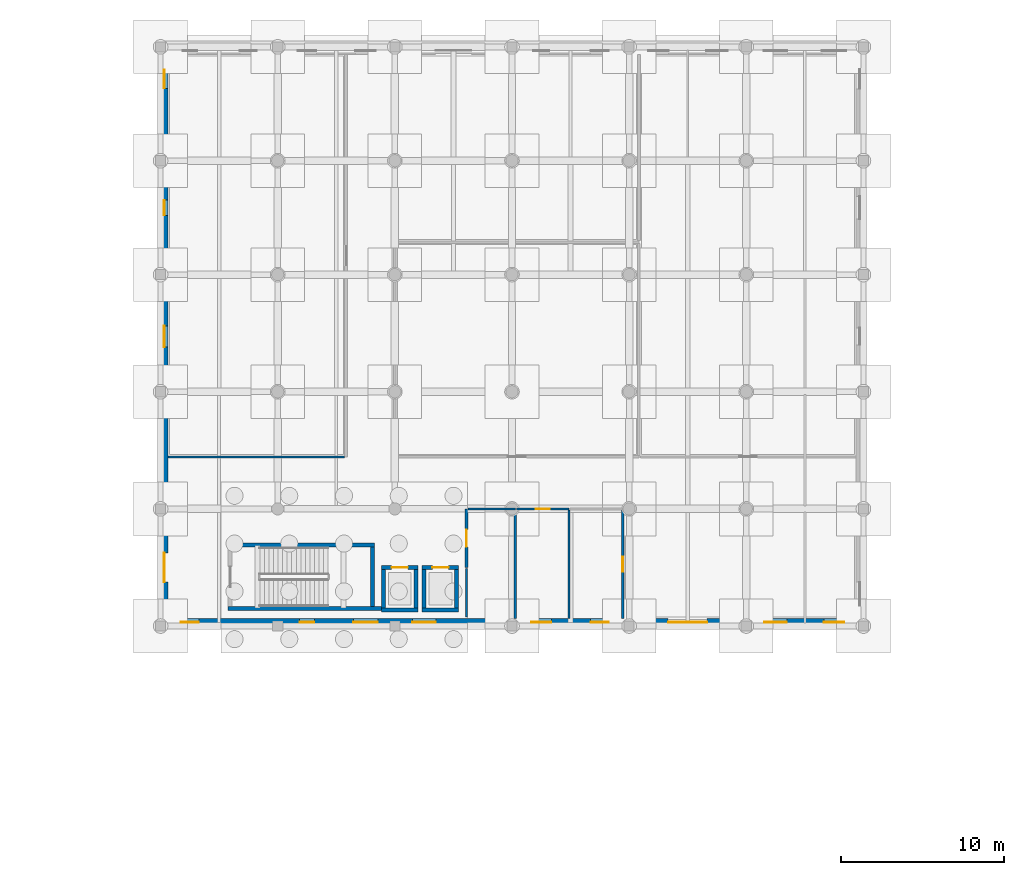
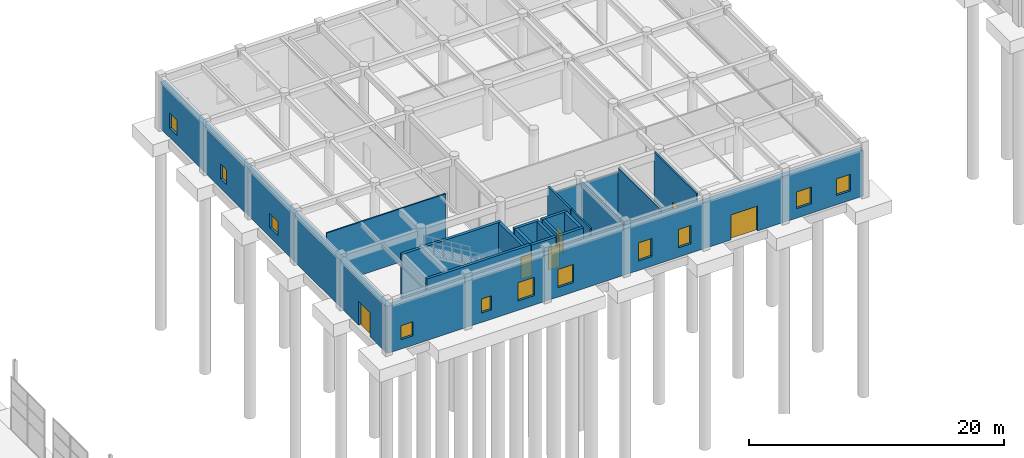
# One storey, part 72 of 91: 21 walls, 11 windows, 7 doors, 18 openings.
"""IFC4 building model written with IfcOpenShell, lengths in metres."""

from ifc_helpers import new_model, si_unit, direction, frame, frame_2d, origin, place, context, subcontext, project, spatial, rectangle, extrude, material, layer, layer_set, type_object, element, fill, save


model = new_model("IFC4")

# Units and contexts
model_context = context("Model", 3, precision=1e-05, world=origin(), true_north=direction((0.0, 1.0)))
body_context = subcontext(model_context, "Body", "Model", "MODEL_VIEW")
ifc_project = project(units=[si_unit("LENGTHUNIT", "METRE"), si_unit("AREAUNIT", "SQUARE_METRE"), si_unit("VOLUMEUNIT", "CUBIC_METRE"), si_unit("PLANEANGLEUNIT", "RADIAN"), si_unit("MASSUNIT", "GRAM", prefix="KILO")], contexts=[model_context])

# Site, building, storey
site_placement = place(None, origin())
site = spatial("IfcSite", under=ifc_project, at=site_placement, CompositionType="ELEMENT")
building_placement = place(site_placement, origin())
building = spatial("IfcBuilding", under=site, at=building_placement, Name="Bramveld Media Centre", CompositionType="ELEMENT")
storey_placement = place(building_placement, origin())
storey = spatial("IfcBuildingStorey", under=building, at=storey_placement, Name="L00", CompositionType="ELEMENT", Elevation=0.0)

# Walls
ifc_material_1 = material(Name="Concrete C40/50 stair & lift core wall", Category="concrete")
ifc_layer_1 = layer(ifc_material_1, 0.25)
ifc_layer_set_1 = layer_set([ifc_layer_1], Name="Concrete C40/50 stair & lift core wall")
wall_type_1 = type_object("IfcWallType", Name="CWALL-SHEAR-250", PredefinedType="SHEAR", material=ifc_layer_set_1)
wall_1_placement = place(storey_placement, frame((69.75, 91.47509765625, 0.0), z_axis=(0.0, 0.0, 1.0), x_axis=(1.0, 0.0, 0.0)))
element("IfcWall", 1, at=wall_1_placement, inside=storey, type_object=wall_type_1, Name="ST-07 L00 stair core shear wall S", PredefinedType="SHEAR", context=body_context, shape_type="SweptSolid", body=[
    extrude(rectangle(XDim=9.570068359375, YDim=0.25, at=frame_2d((4.78515625, 0.0))), origin(), (0.0, 0.0, 1.0), 5.1201171875),
])
wall_2_placement = place(storey_placement, frame((78.75, 95.375, 0.0), z_axis=(0.0, 0.0, 1.0), x_axis=(-1.0, 0.0, 0.0)))
element("IfcWall", 2, at=wall_2_placement, inside=storey, type_object=wall_type_1, Name="ST-07 L00 stair core shear wall N", PredefinedType="SHEAR", context=body_context, shape_type="SweptSolid", body=[
    extrude(rectangle(XDim=9.0, YDim=0.25, at=frame_2d((4.5, 0.0))), origin(), (0.0, 0.0, 1.0), 5.1201171875),
])
wall_3_placement = place(storey_placement, frame((78.625, 91.60009765625, 0.0), z_axis=(0.0, 0.0, 1.0), x_axis=(0.0, 1.0, 0.0)))
element("IfcWall", 3, at=wall_3_placement, inside=storey, type_object=wall_type_1, Name="ST-07 L00 stair core shear wall E", PredefinedType="SHEAR", context=body_context, shape_type="SweptSolid", body=[
    extrude(rectangle(XDim=3.64990234375, YDim=0.25, at=frame_2d((1.824951171875, 0.0))), origin(), (0.0, 0.0, 1.0), 5.1201171875),
])
wall_4_placement = place(storey_placement, frame((79.175048828125, 91.39990234375, 0.0), z_axis=(0.0, 0.0, 1.0), x_axis=(1.0, 0.0, 0.0)))
element("IfcWall", 4, at=wall_4_placement, inside=storey, type_object=wall_type_1, Name="PL-04 L00 lift shaft wall S", PredefinedType="SHEAR", context=body_context, shape_type="SweptSolid", body=[
    extrude(rectangle(XDim=2.25, YDim=0.25, at=frame_2d((1.125, 0.0))), origin(), (0.0, 0.0, 1.0), 5.1201171875),
])

# Wall, opening, door
wall_5_placement = place(storey_placement, frame((81.425048828125, 94.0, 0.0), z_axis=(0.0, 0.0, 1.0), x_axis=(-1.0, 0.0, 0.0)))
wall_5 = element("IfcWall", 5, at=wall_5_placement, inside=storey, type_object=wall_type_1, Name="PL-04 L00 lift shaft wall N", PredefinedType="SHEAR", context=body_context, shape_type="SweptSolid", body=[
    extrude(rectangle(XDim=2.25, YDim=0.25, at=frame_2d((1.125, 0.0))), origin(), (0.0, 0.0, 1.0), 5.1201171875),
])
opening_1_placement = place(wall_5_placement, frame((0.625, 0.0, 0.0)))
opening_1 = element("IfcOpeningElement", 6, at=opening_1_placement, cuts=wall_5, Name="Opening LD-02-04-L00", PredefinedType="OPENING", context=body_context, shape_type="SweptSolid", body=[
    extrude(rectangle(XDim=1.0, YDim=2.14990234375, at=frame_2d((0.5, 1.074951171875))), frame((0.0, 0.136962890625, 0.0), z_axis=(0.0, -1.0, 0.0), x_axis=(1.0, 0.0, 0.0)), (0.0, 0.0, 1.0), 0.27392578125),
])
ifc_material_2 = material(Name="Brushed stainless steel automatic fire-rated sliding lift landing door", Category="steel")
door_type_1 = type_object("IfcDoorType", Name="LD-TYPE-02", OperationType="SLIDING_TO_LEFT", PredefinedType="DOOR", material=ifc_material_2)
door_1_placement = place(opening_1_placement, origin())
door_1 = element("IfcDoor", 7, at=door_1_placement, inside=storey, type_object=door_type_1, Name="PL-04 L00 sliding lift landing door", OperationType="SLIDING_TO_LEFT", OverallHeight=2.14990234375, OverallWidth=1.0, PredefinedType="DOOR", context=body_context, shape_type="SweptSolid", body=[
    extrude(rectangle(XDim=1.0, YDim=2.14990234375, at=frame_2d((0.5, 1.074951171875))), frame((0.0, 0.02490234375, 0.0), z_axis=(0.0, -1.0, 0.0), x_axis=(1.0, 0.0, 0.0)), (0.0, 0.0, 1.0), 0.050048828125),
])
fill(opening_1, door_1)

# Walls
for number, where, z_axis, x_axis, name in (
    (8, (79.300048828125, 94.0, 0.0), (0.0, 0.0, 1.0), (0.0, -1.0, 0.0), "PL-04 L00 lift shaft wall W"),
    (9, (81.300048828125, 91.39990234375, 0.0), (0.0, 0.0, 1.0), (0.0, 1.0, 0.0), "PL-04 L00 lift shaft wall E"),
):
    element("IfcWall", number, at=place(storey_placement, frame(where, z_axis=z_axis, x_axis=x_axis)), inside=storey, type_object=wall_type_1, Name=name, PredefinedType="SHEAR", context=body_context, shape_type="SweptSolid", body=[
        extrude(rectangle(XDim=2.60009765625, YDim=0.25, at=frame_2d((1.300048828125, 0.0))), origin(), (0.0, 0.0, 1.0), 5.1201171875),
    ])
wall_6_placement = place(storey_placement, frame((81.675048828125, 91.39990234375, 0.0), z_axis=(0.0, 0.0, 1.0), x_axis=(1.0, 0.0, 0.0)))
element("IfcWall", 10, at=wall_6_placement, inside=storey, type_object=wall_type_1, Name="PL-03 L00 lift shaft wall S", PredefinedType="SHEAR", context=body_context, shape_type="SweptSolid", body=[
    extrude(rectangle(XDim=2.25, YDim=0.25, at=frame_2d((1.125, 0.0))), origin(), (0.0, 0.0, 1.0), 5.1201171875),
])

# Wall, opening, door
wall_7_placement = place(storey_placement, frame((83.925048828125, 94.0, 0.0), z_axis=(0.0, 0.0, 1.0), x_axis=(-1.0, 0.0, 0.0)))
wall_7 = element("IfcWall", 11, at=wall_7_placement, inside=storey, type_object=wall_type_1, Name="PL-03 L00 lift shaft wall N", PredefinedType="SHEAR", context=body_context, shape_type="SweptSolid", body=[
    extrude(rectangle(XDim=2.25, YDim=0.25, at=frame_2d((1.125, 0.0))), origin(), (0.0, 0.0, 1.0), 5.1201171875),
])
opening_2_placement = place(wall_7_placement, frame((0.625, 0.0, 0.0)))
opening_2 = element("IfcOpeningElement", 12, at=opening_2_placement, cuts=wall_7, Name="Opening LD-02-03-L00", PredefinedType="OPENING", context=body_context, shape_type="SweptSolid", body=[
    extrude(rectangle(XDim=1.0, YDim=2.14990234375, at=frame_2d((0.5, 1.074951171875))), frame((0.0, 0.136962890625, 0.0), z_axis=(0.0, -1.0, 0.0), x_axis=(1.0, 0.0, 0.0)), (0.0, 0.0, 1.0), 0.27392578125),
])
door_2_placement = place(opening_2_placement, origin())
door_2 = element("IfcDoor", 13, at=door_2_placement, inside=storey, type_object=door_type_1, Name="PL-03 L00 sliding lift landing door", OperationType="SLIDING_TO_LEFT", OverallHeight=2.14990234375, OverallWidth=1.0, PredefinedType="DOOR", context=body_context, shape_type="SweptSolid", body=[
    extrude(rectangle(XDim=1.0, YDim=2.14990234375, at=frame_2d((0.5, 1.074951171875))), frame((0.0, 0.02490234375, 0.0), z_axis=(0.0, -1.0, 0.0), x_axis=(1.0, 0.0, 0.0)), (0.0, 0.0, 1.0), 0.050048828125),
])
fill(opening_2, door_2)

# Walls
for number, where, z_axis, x_axis, name in (
    (14, (81.800048828125, 94.0, 0.0), (0.0, 0.0, 1.0), (0.0, -1.0, 0.0), "PL-03 L00 lift shaft wall W"),
    (15, (83.800048828125, 91.39990234375, 0.0), (0.0, 0.0, 1.0), (0.0, 1.0, 0.0), "PL-03 L00 lift shaft wall E"),
):
    element("IfcWall", number, at=place(storey_placement, frame(where, z_axis=z_axis, x_axis=x_axis)), inside=storey, type_object=wall_type_1, Name=name, PredefinedType="SHEAR", context=body_context, shape_type="SweptSolid", body=[
        extrude(rectangle(XDim=2.60009765625, YDim=0.25, at=frame_2d((1.300048828125, 0.0))), origin(), (0.0, 0.0, 1.0), 5.1201171875),
    ])

# Wall, openings, door, windows
ifc_material_3 = material(Name="Flemish red-brown clay facing brick cavity wall with concrete C35/45 inner leaf", Category="masonry")
ifc_layer_2 = layer(ifc_material_3, 0.4599609375)
ifc_layer_set_2 = layer_set([ifc_layer_2], Name="Flemish red-brown clay facing brick cavity wall with concrete C35/45 inner leaf")
wall_type_2 = type_object("IfcWallType", Name="EW-BRK-460", PredefinedType="SOLIDWALL", material=ifc_layer_set_2)
wall_8_placement = place(storey_placement, frame((108.800048828125, 90.6298828125, 0.0), z_axis=(0.0, 0.0, 1.0), x_axis=(-1.0, 0.0, 0.0)))
wall_8 = element("IfcWall", 16, at=wall_8_placement, inside=storey, type_object=wall_type_2, Name="V6 L00 S facing brick exterior wall", PredefinedType="SOLIDWALL", context=body_context, shape_type="SweptSolid", body=[
    extrude(rectangle(XDim=43.199951171875, YDim=0.4599609375, at=frame_2d((21.60009765625, 0.0))), origin(), (0.0, 0.0, 1.0), 4.4150390625),
])
opening_3_placement = place(wall_8_placement, frame((9.60009765625, 0.0, 0.0)))
opening_3 = element("IfcOpeningElement", 17, at=opening_3_placement, cuts=wall_8, Name="Opening ED-11", PredefinedType="OPENING", context=body_context, shape_type="SweptSolid", body=[
    extrude(rectangle(XDim=2.39990234375, YDim=2.39990234375, at=frame_2d((1.199951171875, 1.199951171875))), frame((0.0, 0.241943359375, 0.0), z_axis=(0.0, -1.0, 0.0), x_axis=(1.0, 0.0, 0.0)), (0.0, 0.0, 1.0), 0.48388671875),
])
opening_4_placement = place(wall_8_placement, frame((1.175048828125, 0.0, 0.89990234375)))
opening_4 = element("IfcOpeningElement", 18, at=opening_4_placement, cuts=wall_8, Name="Opening W-16", PredefinedType="OPENING", context=body_context, shape_type="SweptSolid", body=[
    extrude(rectangle(XDim=1.25, YDim=1.60009765625, at=frame_2d((0.625, 0.800048828125))), frame((0.0, 0.241943359375, 0.0), z_axis=(0.0, -1.0, 0.0), x_axis=(1.0, 0.0, 0.0)), (0.0, 0.0, 1.0), 0.48388671875),
])
opening_5_placement = place(wall_8_placement, frame((4.7099609375, 0.0, 0.89990234375)))
opening_5 = element("IfcOpeningElement", 19, at=opening_5_placement, cuts=wall_8, Name="Opening W-17", PredefinedType="OPENING", context=body_context, shape_type="SweptSolid", body=[
    extrude(rectangle(XDim=1.3798828125, YDim=1.60009765625, at=frame_2d((0.68994140625, 0.800048828125))), frame((0.0, 0.241943359375, 0.0), z_axis=(0.0, -1.0, 0.0), x_axis=(1.0, 0.0, 0.0)), (0.0, 0.0, 1.0), 0.48388671875),
])
opening_6_placement = place(wall_8_placement, frame((15.639892578125, 0.0, 0.89990234375)))
opening_6 = element("IfcOpeningElement", 20, at=opening_6_placement, cuts=wall_8, Name="Opening W-20", PredefinedType="OPENING", context=body_context, shape_type="SweptSolid", body=[
    extrude(rectangle(XDim=1.1201171875, YDim=1.75, at=frame_2d((0.56005859375, 0.875))), frame((0.0, 0.241943359375, 0.0), z_axis=(0.0, -1.0, 0.0), x_axis=(1.0, 0.0, 0.0)), (0.0, 0.0, 1.0), 0.48388671875),
])
opening_7_placement = place(wall_8_placement, frame((19.179931640625, 0.0, 0.89990234375)))
opening_7 = element("IfcOpeningElement", 21, at=opening_7_placement, cuts=wall_8, Name="Opening W-21", PredefinedType="OPENING", context=body_context, shape_type="SweptSolid", body=[
    extrude(rectangle(XDim=1.239990234375, YDim=1.75, at=frame_2d((0.6201171875, 0.875))), frame((0.0, 0.241943359375, 0.0), z_axis=(0.0, -1.0, 0.0), x_axis=(1.0, 0.0, 0.0)), (0.0, 0.0, 1.0), 0.48388671875),
])
opening_8_placement = place(wall_8_placement, frame((26.280029296875, 0.0, 0.89990234375)))
opening_8 = element("IfcOpeningElement", 22, at=opening_8_placement, cuts=wall_8, Name="Opening W-23", PredefinedType="OPENING", context=body_context, shape_type="SweptSolid", body=[
    extrude(rectangle(XDim=1.43994140625, YDim=1.75, at=frame_2d((0.719970703125, 0.875))), frame((0.0, 0.241943359375, 0.0), z_axis=(0.0, -1.0, 0.0), x_axis=(1.0, 0.0, 0.0)), (0.0, 0.0, 1.0), 0.48388671875),
])
opening_9_placement = place(wall_8_placement, frame((29.85009765625, 0.0, 0.89990234375)))
opening_9 = element("IfcOpeningElement", 23, at=opening_9_placement, cuts=wall_8, Name="Opening W-24", PredefinedType="OPENING", context=body_context, shape_type="SweptSolid", body=[
    extrude(rectangle(XDim=1.5, YDim=1.75, at=frame_2d((0.75, 0.875))), frame((0.0, 0.241943359375, 0.0), z_axis=(0.0, -1.0, 0.0), x_axis=(1.0, 0.0, 0.0)), (0.0, 0.0, 1.0), 0.48388671875),
])
opening_10_placement = place(wall_8_placement, frame((33.75, 0.0, 0.89990234375)))
opening_10 = element("IfcOpeningElement", 24, at=opening_10_placement, cuts=wall_8, Name="Opening W-01", PredefinedType="OPENING", context=body_context, shape_type="SweptSolid", body=[
    extrude(rectangle(XDim=0.89990234375, YDim=1.35009765625, at=frame_2d((0.449951171875, 0.675048828125))), frame((0.0, 0.241943359375, 0.0), z_axis=(0.0, -1.0, 0.0), x_axis=(1.0, 0.0, 0.0)), (0.0, 0.0, 1.0), 0.48388671875),
])
opening_11_placement = place(wall_8_placement, frame((40.85009765625, 0.0, 0.89990234375)))
opening_11 = element("IfcOpeningElement", 25, at=opening_11_placement, cuts=wall_8, Name="Opening W-03", PredefinedType="OPENING", context=body_context, shape_type="SweptSolid", body=[
    extrude(rectangle(XDim=1.10009765625, YDim=1.35009765625, at=frame_2d((0.550048828125, 0.675048828125))), frame((0.0, 0.241943359375, 0.0), z_axis=(0.0, -1.0, 0.0), x_axis=(1.0, 0.0, 0.0)), (0.0, 0.0, 1.0), 0.48388671875),
])
ifc_material_4 = material(Name="Insulated powder-coated bronze aluminium & laminated safety glass door", Category="aluminium")
door_type_2 = type_object("IfcDoorType", Name="DR-EXT-2400", OperationType="NOTDEFINED", PredefinedType="DOOR", material=ifc_material_4)
door_3_placement = place(opening_3_placement, origin())
door_3 = element("IfcDoor", 26, at=door_3_placement, inside=storey, type_object=door_type_2, Name="Exterior door ED-11", OperationType="DOUBLE_DOOR_SINGLE_SWING", OverallHeight=2.39990234375, OverallWidth=2.39990234375, PredefinedType="DOOR", context=body_context, shape_type="SweptSolid", body=[
    extrude(rectangle(XDim=2.39990234375, YDim=2.39990234375, at=frame_2d((1.199951171875, 1.199951171875))), frame((0.0, 0.02490234375, 0.0), z_axis=(0.0, -1.0, 0.0), x_axis=(1.0, 0.0, 0.0)), (0.0, 0.0, 1.0), 0.050048828125),
])
fill(opening_3, door_3)
ifc_material_5 = material(Name="Thermally broken anodized bronze aluminium frame with triple acoustic glazing", Category="aluminium")
window_type_1 = type_object("IfcWindowType", Name="WIN-FAC-01", PartitioningType="SINGLE_PANEL", PredefinedType="WINDOW", material=ifc_material_5)
window_1_placement = place(opening_10_placement, origin())
window_1 = element("IfcWindow", 27, at=window_1_placement, inside=storey, type_object=window_type_1, Name="V6 L00 S acoustic facade window", OverallHeight=1.35009765625, OverallWidth=0.89990234375, PartitioningType="SINGLE_PANEL", PredefinedType="WINDOW", context=body_context, shape_type="SweptSolid", body=[
    extrude(rectangle(XDim=0.89990234375, YDim=1.35009765625, at=frame_2d((0.449951171875, 0.675048828125))), frame((0.0, 0.030029296875, 0.0), z_axis=(0.0, -1.0, 0.0), x_axis=(1.0, 0.0, 0.0)), (0.0, 0.0, 1.0), 0.06005859375),
])
fill(opening_10, window_1)
ifc_material_6 = material(Name="Thermally broken anodized bronze aluminium frame with triple acoustic glazing", Category="aluminium")
window_type_2 = type_object("IfcWindowType", Name="WIN-FAC-03", PartitioningType="SINGLE_PANEL", PredefinedType="WINDOW", material=ifc_material_6)
window_2_placement = place(opening_11_placement, origin())
window_2 = element("IfcWindow", 28, at=window_2_placement, inside=storey, type_object=window_type_2, Name="V6 L00 S acoustic facade window", OverallHeight=1.35009765625, OverallWidth=1.10009765625, PartitioningType="SINGLE_PANEL", PredefinedType="WINDOW", context=body_context, shape_type="SweptSolid", body=[
    extrude(rectangle(XDim=1.10009765625, YDim=1.35009765625, at=frame_2d((0.550048828125, 0.675048828125))), frame((0.0, 0.030029296875, 0.0), z_axis=(0.0, -1.0, 0.0), x_axis=(1.0, 0.0, 0.0)), (0.0, 0.0, 1.0), 0.06005859375),
])
fill(opening_11, window_2)
ifc_material_7 = material(Name="Thermally broken anodized bronze aluminium frame with triple acoustic glazing", Category="aluminium")
window_type_3 = type_object("IfcWindowType", Name="WIN-FAC-16", PartitioningType="SINGLE_PANEL", PredefinedType="WINDOW", material=ifc_material_7)
window_3_placement = place(opening_4_placement, origin())
window_3 = element("IfcWindow", 29, at=window_3_placement, inside=storey, type_object=window_type_3, Name="V6 L00 S acoustic facade window", OverallHeight=1.60009765625, OverallWidth=1.25, PartitioningType="SINGLE_PANEL", PredefinedType="WINDOW", context=body_context, shape_type="SweptSolid", body=[
    extrude(rectangle(XDim=1.25, YDim=1.60009765625, at=frame_2d((0.625, 0.800048828125))), frame((0.0, 0.030029296875, 0.0), z_axis=(0.0, -1.0, 0.0), x_axis=(1.0, 0.0, 0.0)), (0.0, 0.0, 1.0), 0.06005859375),
])
fill(opening_4, window_3)
ifc_material_8 = material(Name="Thermally broken anodized bronze aluminium frame with triple acoustic glazing", Category="aluminium")
window_type_4 = type_object("IfcWindowType", Name="WIN-FAC-17", PartitioningType="SINGLE_PANEL", PredefinedType="WINDOW", material=ifc_material_8)
window_4_placement = place(opening_5_placement, origin())
window_4 = element("IfcWindow", 30, at=window_4_placement, inside=storey, type_object=window_type_4, Name="V6 L00 S acoustic facade window", OverallHeight=1.60009765625, OverallWidth=1.3798828125, PartitioningType="SINGLE_PANEL", PredefinedType="WINDOW", context=body_context, shape_type="SweptSolid", body=[
    extrude(rectangle(XDim=1.3798828125, YDim=1.60009765625, at=frame_2d((0.68994140625, 0.800048828125))), frame((0.0, 0.030029296875, 0.0), z_axis=(0.0, -1.0, 0.0), x_axis=(1.0, 0.0, 0.0)), (0.0, 0.0, 1.0), 0.06005859375),
])
fill(opening_5, window_4)
ifc_material_9 = material(Name="Thermally broken anodized bronze aluminium frame with triple acoustic glazing", Category="aluminium")
window_type_5 = type_object("IfcWindowType", Name="WIN-FAC-20", PartitioningType="SINGLE_PANEL", PredefinedType="WINDOW", material=ifc_material_9)
window_5_placement = place(opening_6_placement, origin())
window_5 = element("IfcWindow", 31, at=window_5_placement, inside=storey, type_object=window_type_5, Name="V6 L00 S acoustic facade window", OverallHeight=1.75, OverallWidth=1.1201171875, PartitioningType="SINGLE_PANEL", PredefinedType="WINDOW", context=body_context, shape_type="SweptSolid", body=[
    extrude(rectangle(XDim=1.1201171875, YDim=1.75, at=frame_2d((0.56005859375, 0.875))), frame((0.0, 0.030029296875, 0.0), z_axis=(0.0, -1.0, 0.0), x_axis=(1.0, 0.0, 0.0)), (0.0, 0.0, 1.0), 0.06005859375),
])
fill(opening_6, window_5)
ifc_material_10 = material(Name="Thermally broken anodized bronze aluminium frame with triple acoustic glazing", Category="aluminium")
window_type_6 = type_object("IfcWindowType", Name="WIN-FAC-21", PartitioningType="SINGLE_PANEL", PredefinedType="WINDOW", material=ifc_material_10)
window_6_placement = place(opening_7_placement, origin())
window_6 = element("IfcWindow", 32, at=window_6_placement, inside=storey, type_object=window_type_6, Name="V6 L00 S acoustic facade window", OverallHeight=1.75, OverallWidth=1.239990234375, PartitioningType="SINGLE_PANEL", PredefinedType="WINDOW", context=body_context, shape_type="SweptSolid", body=[
    extrude(rectangle(XDim=1.239990234375, YDim=1.75, at=frame_2d((0.6201171875, 0.875))), frame((0.0, 0.030029296875, 0.0), z_axis=(0.0, -1.0, 0.0), x_axis=(1.0, 0.0, 0.0)), (0.0, 0.0, 1.0), 0.06005859375),
])
fill(opening_7, window_6)
ifc_material_11 = material(Name="Thermally broken anodized bronze aluminium frame with triple acoustic glazing", Category="aluminium")
window_type_7 = type_object("IfcWindowType", Name="WIN-FAC-23", PartitioningType="SINGLE_PANEL", PredefinedType="WINDOW", material=ifc_material_11)
window_7_placement = place(opening_8_placement, origin())
window_7 = element("IfcWindow", 33, at=window_7_placement, inside=storey, type_object=window_type_7, Name="V6 L00 S acoustic facade window", OverallHeight=1.75, OverallWidth=1.43994140625, PartitioningType="SINGLE_PANEL", PredefinedType="WINDOW", context=body_context, shape_type="SweptSolid", body=[
    extrude(rectangle(XDim=1.43994140625, YDim=1.75, at=frame_2d((0.719970703125, 0.875))), frame((0.0, 0.030029296875, 0.0), z_axis=(0.0, -1.0, 0.0), x_axis=(1.0, 0.0, 0.0)), (0.0, 0.0, 1.0), 0.06005859375),
])
fill(opening_8, window_7)
ifc_material_12 = material(Name="Thermally broken anodized bronze aluminium frame with triple acoustic glazing", Category="aluminium")
window_type_8 = type_object("IfcWindowType", Name="WIN-FAC-24", PartitioningType="SINGLE_PANEL", PredefinedType="WINDOW", material=ifc_material_12)
window_8_placement = place(opening_9_placement, origin())
window_8 = element("IfcWindow", 34, at=window_8_placement, inside=storey, type_object=window_type_8, Name="V6 L00 S acoustic facade window", OverallHeight=1.75, OverallWidth=1.5, PartitioningType="SINGLE_PANEL", PredefinedType="WINDOW", context=body_context, shape_type="SweptSolid", body=[
    extrude(rectangle(XDim=1.5, YDim=1.75, at=frame_2d((0.75, 0.875))), frame((0.0, 0.030029296875, 0.0), z_axis=(0.0, -1.0, 0.0), x_axis=(1.0, 0.0, 0.0)), (0.0, 0.0, 1.0), 0.06005859375),
])
fill(opening_9, window_8)

wall_9_placement = place(storey_placement, frame((65.830078125, 90.39990234375, 0.0), z_axis=(0.0, 0.0, 1.0), x_axis=(0.0, 1.0, 0.0)))
wall_9 = element("IfcWall", 35, at=wall_9_placement, inside=storey, type_object=wall_type_2, Name="V6 L00 W facing brick exterior wall", PredefinedType="SOLIDWALL", context=body_context, shape_type="SweptSolid", body=[
    extrude(rectangle(XDim=35.60009765625, YDim=0.4599609375, at=frame_2d((17.800048828125, 0.0))), origin(), (0.0, 0.0, 1.0), 4.514892578125),
])
opening_12_placement = place(wall_9_placement, frame((2.699951171875, 0.0, 0.0)))
opening_12 = element("IfcOpeningElement", 36, at=opening_12_placement, cuts=wall_9, Name="Opening ED-20", PredefinedType="OPENING", context=body_context, shape_type="SweptSolid", body=[
    extrude(rectangle(XDim=1.800048828125, YDim=2.300048828125, at=frame_2d((0.89990234375, 1.14990234375))), frame((0.0, 0.241943359375, 0.0), z_axis=(0.0, -1.0, 0.0), x_axis=(1.0, 0.0, 0.0)), (0.0, 0.0, 1.0), 0.48388671875),
])
opening_13_placement = place(wall_9_placement, frame((17.14990234375, 0.0, 0.89990234375)))
opening_13 = element("IfcOpeningElement", 37, at=opening_13_placement, cuts=wall_9, Name="Opening W-05", PredefinedType="OPENING", context=body_context, shape_type="SweptSolid", body=[
    extrude(rectangle(XDim=1.300048828125, YDim=1.35009765625, at=frame_2d((0.64990234375, 0.675048828125))), frame((0.0, 0.241943359375, 0.0), z_axis=(0.0, -1.0, 0.0), x_axis=(1.0, 0.0, 0.0)), (0.0, 0.0, 1.0), 0.48388671875),
])
opening_14_placement = place(wall_9_placement, frame((25.236083984375, 0.0, 0.89990234375)))
opening_14 = element("IfcOpeningElement", 38, at=opening_14_placement, cuts=wall_9, Name="Opening W-07", PredefinedType="OPENING", context=body_context, shape_type="SweptSolid", body=[
    extrude(rectangle(XDim=0.949951171875, YDim=1.449951171875, at=frame_2d((0.47509765625, 0.72509765625))), frame((0.0, 0.241943359375, 0.0), z_axis=(0.0, -1.0, 0.0), x_axis=(1.0, 0.0, 0.0)), (0.0, 0.0, 1.0), 0.48388671875),
])
opening_15_placement = place(wall_9_placement, frame((33.047119140625, 0.0, 0.89990234375)))
opening_15 = element("IfcOpeningElement", 39, at=opening_15_placement, cuts=wall_9, Name="Opening W-09", PredefinedType="OPENING", context=body_context, shape_type="SweptSolid", body=[
    extrude(rectangle(XDim=1.14990234375, YDim=1.449951171875, at=frame_2d((0.574951171875, 0.72509765625))), frame((0.0, 0.241943359375, 0.0), z_axis=(0.0, -1.0, 0.0), x_axis=(1.0, 0.0, 0.0)), (0.0, 0.0, 1.0), 0.48388671875),
])
ifc_material_13 = material(Name="Insulated powder-coated bronze aluminium & laminated safety glass door", Category="aluminium")
door_type_3 = type_object("IfcDoorType", Name="DR-EXT-1800", OperationType="NOTDEFINED", PredefinedType="DOOR", material=ifc_material_13)
door_4_placement = place(opening_12_placement, origin())
door_4 = element("IfcDoor", 40, at=door_4_placement, inside=storey, type_object=door_type_3, Name="Exterior door ED-20", OperationType="DOUBLE_DOOR_SINGLE_SWING", OverallHeight=2.300048828125, OverallWidth=1.800048828125, PredefinedType="DOOR", context=body_context, shape_type="SweptSolid", body=[
    extrude(rectangle(XDim=1.800048828125, YDim=2.300048828125, at=frame_2d((0.89990234375, 1.14990234375))), frame((0.0, 0.02490234375, 0.0), z_axis=(0.0, -1.0, 0.0), x_axis=(1.0, 0.0, 0.0)), (0.0, 0.0, 1.0), 0.050048828125),
])
fill(opening_12, door_4)
ifc_material_14 = material(Name="Thermally broken anodized bronze aluminium frame with triple acoustic glazing", Category="aluminium")
window_type_9 = type_object("IfcWindowType", Name="WIN-FAC-05", PartitioningType="SINGLE_PANEL", PredefinedType="WINDOW", material=ifc_material_14)
window_9_placement = place(opening_13_placement, origin())
window_9 = element("IfcWindow", 41, at=window_9_placement, inside=storey, type_object=window_type_9, Name="V6 L00 W acoustic facade window", OverallHeight=1.35009765625, OverallWidth=1.300048828125, PartitioningType="SINGLE_PANEL", PredefinedType="WINDOW", context=body_context, shape_type="SweptSolid", body=[
    extrude(rectangle(XDim=1.300048828125, YDim=1.35009765625, at=frame_2d((0.64990234375, 0.675048828125))), frame((0.0, 0.030029296875, 0.0), z_axis=(0.0, -1.0, 0.0), x_axis=(1.0, 0.0, 0.0)), (0.0, 0.0, 1.0), 0.06005859375),
])
fill(opening_13, window_9)
ifc_material_15 = material(Name="Thermally broken anodized bronze aluminium frame with triple acoustic glazing", Category="aluminium")
window_type_10 = type_object("IfcWindowType", Name="WIN-FAC-07", PartitioningType="SINGLE_PANEL", PredefinedType="WINDOW", material=ifc_material_15)
window_10_placement = place(opening_14_placement, origin())
window_10 = element("IfcWindow", 42, at=window_10_placement, inside=storey, type_object=window_type_10, Name="V6 L00 W acoustic facade window", OverallHeight=1.449951171875, OverallWidth=0.949951171875, PartitioningType="SINGLE_PANEL", PredefinedType="WINDOW", context=body_context, shape_type="SweptSolid", body=[
    extrude(rectangle(XDim=0.949951171875, YDim=1.449951171875, at=frame_2d((0.47509765625, 0.72509765625))), frame((0.0, 0.030029296875, 0.0), z_axis=(0.0, -1.0, 0.0), x_axis=(1.0, 0.0, 0.0)), (0.0, 0.0, 1.0), 0.06005859375),
])
fill(opening_14, window_10)
ifc_material_16 = material(Name="Thermally broken anodized bronze aluminium frame with triple acoustic glazing", Category="aluminium")
window_type_11 = type_object("IfcWindowType", Name="WIN-FAC-09", PartitioningType="SINGLE_PANEL", PredefinedType="WINDOW", material=ifc_material_16)
window_11_placement = place(opening_15_placement, origin())
window_11 = element("IfcWindow", 43, at=window_11_placement, inside=storey, type_object=window_type_11, Name="V6 L00 W acoustic facade window", OverallHeight=1.449951171875, OverallWidth=1.14990234375, PartitioningType="SINGLE_PANEL", PredefinedType="WINDOW", context=body_context, shape_type="SweptSolid", body=[
    extrude(rectangle(XDim=1.14990234375, YDim=1.449951171875, at=frame_2d((0.574951171875, 0.72509765625))), frame((0.0, 0.030029296875, 0.0), z_axis=(0.0, -1.0, 0.0), x_axis=(1.0, 0.0, 0.0)), (0.0, 0.0, 1.0), 0.06005859375),
])
fill(opening_15, window_11)

# Wall, opening, door
ifc_material_17 = material(Name="Fire-rated twin-frame gypsum corridor wall", Category="gypsum")
ifc_layer_3 = layer(ifc_material_17, 0.179931640625)
ifc_layer_set_3 = layer_set([ifc_layer_3], Name="Fire-rated twin-frame gypsum corridor wall")
wall_type_3 = type_object("IfcWallType", Name="IW-FIRE-180", PredefinedType="PARTITIONING", material=ifc_layer_set_3)
wall_10_placement = place(storey_placement, frame((84.39990234375, 94.0, 0.0), z_axis=(0.0, 0.0, 1.0), x_axis=(0.0, 1.0, 0.0)))
wall_10 = element("IfcWall", 44, at=wall_10_placement, inside=storey, type_object=wall_type_3, Name="Exhibition Lift Lobby L00 partition wall", PredefinedType="PARTITIONING", context=body_context, shape_type="SweptSolid", body=[
    extrude(rectangle(XDim=3.60009765625, YDim=0.179931640625, at=frame_2d((1.800048828125, 0.0))), origin(), (0.0, 0.0, 1.0), 5.1201171875),
])
opening_16_placement = place(wall_10_placement, frame((1.27001953125, 0.0, 0.0)))
opening_16 = element("IfcOpeningElement", 45, at=opening_16_placement, cuts=wall_10, Name="Opening D-00-037", PredefinedType="OPENING", context=body_context, shape_type="SweptSolid", body=[
    extrude(rectangle(XDim=1.06005859375, YDim=2.10009765625, at=frame_2d((0.530029296875, 1.050048828125))), frame((0.0, 0.10205078125, 0.0), z_axis=(0.0, -1.0, 0.0), x_axis=(1.0, 0.0, 0.0)), (0.0, 0.0, 1.0), 0.203857421875),
])
ifc_material_18 = material(Name="Solid-core European oak acoustic timber leaf in steel frame", Category="steel")
door_type_4 = type_object("IfcDoorType", Name="DR-WC-PMR-1060", OperationType="NOTDEFINED", PredefinedType="DOOR", material=ifc_material_18)
door_5_placement = place(opening_16_placement, origin())
door_5 = element("IfcDoor", 46, at=door_5_placement, inside=storey, type_object=door_type_4, Name="Accessible WC entrance door", OperationType="SINGLE_SWING_LEFT", OverallHeight=2.10009765625, OverallWidth=1.06005859375, PredefinedType="DOOR", context=body_context, shape_type="SweptSolid", body=[
    extrude(rectangle(XDim=1.06005859375, YDim=2.10009765625, at=frame_2d((0.530029296875, 1.050048828125))), frame((0.0, 0.02490234375, 0.0), z_axis=(0.0, -1.0, 0.0), x_axis=(1.0, 0.0, 0.0)), (0.0, 0.0, 1.0), 0.050048828125),
])
fill(opening_16, door_5)

# Walls
ifc_material_19 = material(Name="Lightweight acoustic stud partition", Category="gypsum")
ifc_layer_4 = layer(ifc_material_19, 0.125)
ifc_layer_set_4 = layer_set([ifc_layer_4], Name="Lightweight acoustic stud partition")
wall_type_4 = type_object("IfcWallType", Name="IW-PART-125", PredefinedType="PARTITIONING", material=ifc_layer_set_4)
wall_11_placement = place(storey_placement, frame((66.070068359375, 100.800048828125, 0.0), z_axis=(0.0, 0.0, 1.0), x_axis=(1.0, 0.0, 0.0)))
element("IfcWall", 47, at=wall_11_placement, inside=storey, type_object=wall_type_4, Name="Canal-Front Exhibition Hall 1 partition wall", PredefinedType="PARTITIONING", context=body_context, shape_type="SweptSolid", body=[
    extrude(rectangle(XDim=10.829833984375, YDim=0.125, at=frame_2d((5.4150390625, 0.0))), origin(), (0.0, 0.0, 1.0), 5.1201171875),
])
ifc_material_20 = material(Name="Moisture-resistant cement-board sanitary partition", Category="gypsum")
ifc_layer_5 = layer(ifc_material_20, 0.139892578125)
ifc_layer_set_5 = layer_set([ifc_layer_5], Name="Moisture-resistant cement-board sanitary partition")
wall_type_5 = type_object("IfcWallType", Name="IW-WET-140", PredefinedType="PARTITIONING", material=ifc_layer_set_5)
wall_12_placement = place(storey_placement, frame((84.5, 97.60009765625, 0.0), z_axis=(0.0, 0.0, 1.0), x_axis=(1.0, 0.0, 0.0)))
element("IfcWall", 48, at=wall_12_placement, inside=storey, type_object=wall_type_5, Name="Accessible WC partition wall", PredefinedType="PARTITIONING", context=body_context, shape_type="SweptSolid", body=[
    extrude(rectangle(XDim=2.89990234375, YDim=0.139892578125, at=frame_2d((1.449951171875, 0.0))), origin(), (0.0, 0.0, 1.0), 4.39501953125),
])
wall_13_placement = place(storey_placement, frame((87.39990234375, 90.8701171875, 0.0), z_axis=(0.0, 0.0, 1.0), x_axis=(0.0, 1.0, 0.0)))
element("IfcWall", 49, at=wall_13_placement, inside=storey, type_object=wall_type_5, Name="Accessible WC partition wall", PredefinedType="PARTITIONING", context=body_context, shape_type="SweptSolid", body=[
    extrude(rectangle(XDim=6.64990234375, YDim=0.139892578125, at=frame_2d((3.324951171875, 0.0))), origin(), (0.0, 0.0, 1.0), 4.4951171875),
])

# Wall, opening, door
wall_14_placement = place(storey_placement, frame((87.47998046875, 97.60009765625, 0.0), z_axis=(0.0, 0.0, 1.0), x_axis=(1.0, 0.0, 0.0)))
wall_14 = element("IfcWall", 50, at=wall_14_placement, inside=storey, type_object=wall_type_5, Name="Male WC partition wall", PredefinedType="PARTITIONING", context=body_context, shape_type="SweptSolid", body=[
    extrude(rectangle(XDim=3.219970703125, YDim=0.139892578125, at=frame_2d((1.60986328125, 0.0))), origin(), (0.0, 0.0, 1.0), 4.344970703125),
])
opening_17_placement = place(wall_14_placement, frame((1.1650390625, 0.0, 0.0)))
opening_17 = element("IfcOpeningElement", 51, at=opening_17_placement, cuts=wall_14, Name="Opening D-00-038", PredefinedType="OPENING", context=body_context, shape_type="SweptSolid", body=[
    extrude(rectangle(XDim=0.889892578125, YDim=2.050048828125, at=frame_2d((0.44482421875, 1.02490234375))), frame((0.0, 0.08203125, 0.0), z_axis=(0.0, -1.0, 0.0), x_axis=(1.0, 0.0, 0.0)), (0.0, 0.0, 1.0), 0.163818359375),
])
ifc_material_21 = material(Name="Solid-core European oak acoustic timber leaf in steel frame", Category="steel")
door_type_5 = type_object("IfcDoorType", Name="DR-WC-0890", OperationType="NOTDEFINED", PredefinedType="DOOR", material=ifc_material_21)
door_6_placement = place(opening_17_placement, origin())
door_6 = element("IfcDoor", 52, at=door_6_placement, inside=storey, type_object=door_type_5, Name="Male WC entrance door", OperationType="SINGLE_SWING_RIGHT", OverallHeight=2.050048828125, OverallWidth=0.889892578125, PredefinedType="DOOR", context=body_context, shape_type="SweptSolid", body=[
    extrude(rectangle(XDim=0.889892578125, YDim=2.050048828125, at=frame_2d((0.44482421875, 1.02490234375))), frame((0.0, 0.02490234375, 0.0), z_axis=(0.0, -1.0, 0.0), x_axis=(1.0, 0.0, 0.0)), (0.0, 0.0, 1.0), 0.050048828125),
])
fill(opening_17, door_6)

# Wall
wall_15_placement = place(storey_placement, frame((90.699951171875, 90.8701171875, 0.0), z_axis=(0.0, 0.0, 1.0), x_axis=(0.0, 1.0, 0.0)))
element("IfcWall", 53, at=wall_15_placement, inside=storey, type_object=wall_type_5, Name="Male WC partition wall", PredefinedType="PARTITIONING", context=body_context, shape_type="SweptSolid", body=[
    extrude(rectangle(XDim=6.64990234375, YDim=0.139892578125, at=frame_2d((3.324951171875, 0.0))), origin(), (0.0, 0.0, 1.0), 4.784912109375),
])

# Wall, opening, door
wall_16_placement = place(storey_placement, frame((94.0, 90.8701171875, 0.0), z_axis=(0.0, 0.0, 1.0), x_axis=(0.0, 1.0, 0.0)))
wall_16 = element("IfcWall", 54, at=wall_16_placement, inside=storey, type_object=wall_type_5, Name="Female WC partition wall", PredefinedType="PARTITIONING", context=body_context, shape_type="SweptSolid", body=[
    extrude(rectangle(XDim=6.64990234375, YDim=0.139892578125, at=frame_2d((3.324951171875, 0.0))), origin(), (0.0, 0.0, 1.0), 5.1201171875),
])
opening_18_placement = place(wall_16_placement, frame((2.8701171875, 0.0, 0.0)))
opening_18 = element("IfcOpeningElement", 55, at=opening_18_placement, cuts=wall_16, Name="Opening D-00-039", PredefinedType="OPENING", context=body_context, shape_type="SweptSolid", body=[
    extrude(rectangle(XDim=0.909912109375, YDim=2.06005859375, at=frame_2d((0.455078125, 1.030029296875))), frame((0.0, 0.08203125, 0.0), z_axis=(0.0, -1.0, 0.0), x_axis=(1.0, 0.0, 0.0)), (0.0, 0.0, 1.0), 0.163818359375),
])
ifc_material_22 = material(Name="Solid-core European oak acoustic timber leaf in steel frame", Category="steel")
door_type_6 = type_object("IfcDoorType", Name="DR-WC-0910", OperationType="NOTDEFINED", PredefinedType="DOOR", material=ifc_material_22)
door_7_placement = place(opening_18_placement, origin())
door_7 = element("IfcDoor", 56, at=door_7_placement, inside=storey, type_object=door_type_6, Name="Female WC entrance door", OperationType="SINGLE_SWING_LEFT", OverallHeight=2.06005859375, OverallWidth=0.909912109375, PredefinedType="DOOR", context=body_context, shape_type="SweptSolid", body=[
    extrude(rectangle(XDim=0.909912109375, YDim=2.06005859375, at=frame_2d((0.455078125, 1.030029296875))), frame((0.0, 0.02490234375, 0.0), z_axis=(0.0, -1.0, 0.0), x_axis=(1.0, 0.0, 0.0)), (0.0, 0.0, 1.0), 0.050048828125),
])
fill(opening_18, door_7)

# Wall
wall_17_placement = place(storey_placement, frame((84.39990234375, 90.949951171875, 0.0), z_axis=(0.0, 0.0, 1.0), x_axis=(0.0, 1.0, 0.0)))
element("IfcWall", 57, at=wall_17_placement, inside=storey, type_object=wall_type_5, Name="Accessible WC partition wall", PredefinedType="PARTITIONING", context=body_context, shape_type="SweptSolid", body=[
    extrude(rectangle(XDim=3.0, YDim=0.139892578125, at=frame_2d((1.5, 0.0))), origin(), (0.0, 0.0, 1.0), 5.1201171875),
])

save(model, "model.ifc")
